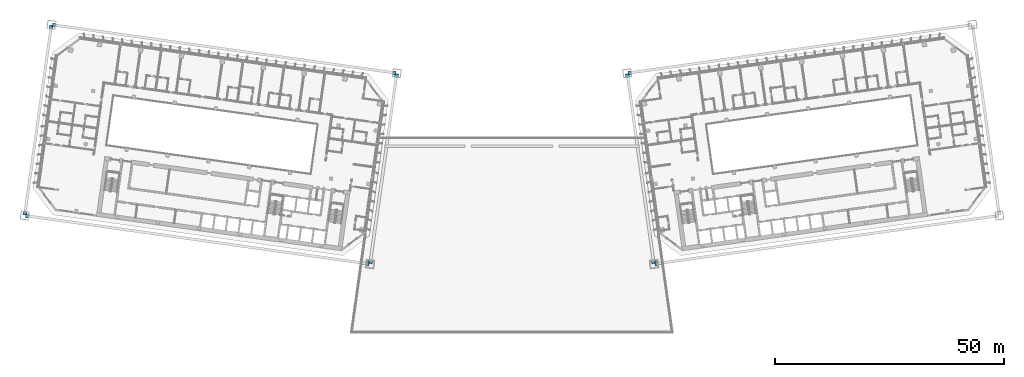
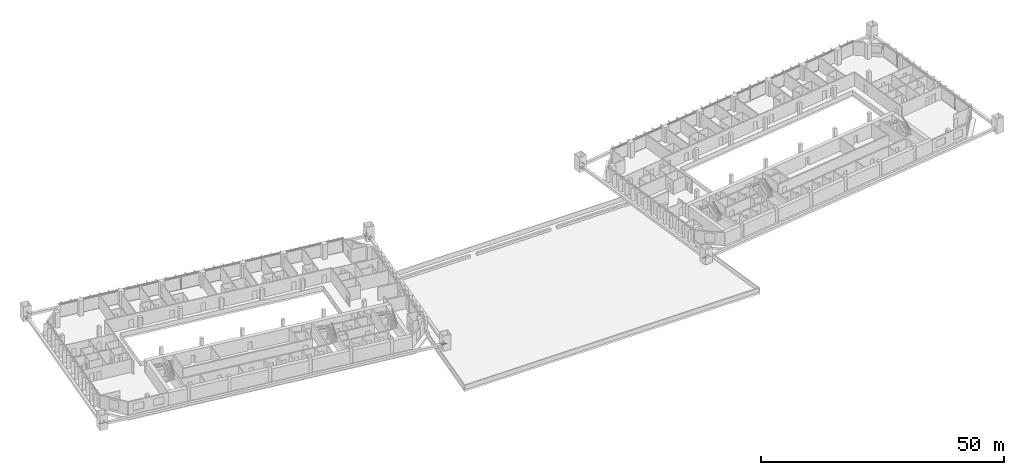
# One storey, part 38 of 46: 12 discrete accessories.
"""IFC4 building model written with IfcOpenShell, lengths in metres."""

from ifc_helpers import new_model, si_unit, direction, frame, origin, origin_2d, place, context, subcontext, project, spatial, rectangle, extrude, material, material_profile, profile_set, type_object, element, save


model = new_model("IFC4")

# Units and contexts
model_context = context("Model", 3, precision=1e-05, world=origin(), true_north=direction((0.0, 1.0)))
body_context = subcontext(model_context, "Body", "Model", "MODEL_VIEW")
ifc_project = project(units=[si_unit("LENGTHUNIT", "METRE"), si_unit("AREAUNIT", "SQUARE_METRE"), si_unit("VOLUMEUNIT", "CUBIC_METRE"), si_unit("PLANEANGLEUNIT", "RADIAN"), si_unit("MASSUNIT", "GRAM", prefix="KILO")], contexts=[model_context])

# Site, building, storey
site_placement = place(None, origin())
site = spatial("IfcSite", under=ifc_project, at=site_placement, CompositionType="ELEMENT")
building_placement = place(site_placement, origin())
building = spatial("IfcBuilding", under=site, at=building_placement, Name="Mirante Cascada Hotel Towers", CompositionType="ELEMENT")
storey_placement = place(building_placement, frame((0.0, 0.0, 39.5)))
storey = spatial("IfcBuildingStorey", under=building, at=storey_placement, Name="L06", CompositionType="ELEMENT", Elevation=39.5)

# Discrete accessories
ifc_material = material(Name="Steel ASTM A572 Gr 50", Category="steel")
ifc_material_profile = material_profile(ifc_material, rectangle(XDim=0.9, YDim=0.9, at=origin_2d()), Name="Connection plate 900x900x25 ASTM A572 Gr 50")
ifc_profile_set = profile_set([ifc_material_profile], Name="Steel ASTM A572 Gr 50")
discrete_accessory_type = type_object("IfcDiscreteAccessoryType", Name="Connection plate 900x900x25 ASTM A572 Gr 50", PredefinedType="BRACKET", material=ifc_profile_set)
for number, where, z_axis, x_axis, name in (
    (1, (-25.6586, 18.5962, 1.3347), (-0.5438347, 0.0759769, 0.835746), (-0.1383621, -0.9903817, 0.0), "Connection plate MB-FL06L"),
    (2, (-99.7954, 29.0155, 1.3347), (0.5438347, -0.0759769, 0.835746), (0.1383621, 0.9903817, 0.0), "Connection plate MB-FL06R"),
    (3, (-31.5039, -22.995, 1.3347), (-0.5438347, 0.0759769, 0.835746), (-0.1383621, -0.9903817, 0.0), "Connection plate MB-RL06L"),
    (4, (-105.6407, -12.5758, 1.3347), (0.5438347, -0.0759769, 0.835746), (0.1383621, 0.9903817, 0.0), "Connection plate MB-RL06R"),
    (5, (-30.8695, -22.5574, 0.7732), (0.0479123, 0.3313934, 0.9422753), (-0.9897096, 0.1430905, 0.0), "Connection plate MB-IL06L"),
    (6, (-25.1694, 18.0007, 0.7732), (-0.0479123, -0.3313934, 0.9422753), (0.9897096, -0.1430905, 0.0), "Connection plate MB-IL06R"),
    (7, (-106.1299, -11.9802, 0.7732), (0.0479123, 0.3313934, 0.9422753), (-0.9897096, 0.1430905, 0.0), "Connection plate MB-OL06L"),
    (8, (-100.4298, 28.5778, 0.7732), (-0.0479123, -0.3313934, 0.9422753), (0.9897096, -0.1430905, 0.0), "Connection plate MB-OL06R"),
    (9, (25.6586, 18.5962, 1.3347), (0.5438347, 0.0759769, 0.835746), (-0.1383621, 0.9903817, 0.0), "Connection plate MB-FL06L"),
    (10, (31.5039, -22.995, 1.3347), (0.5438347, 0.0759769, 0.835746), (-0.1383621, 0.9903817, 0.0), "Connection plate MB-RL06L"),
    (11, (30.8695, -22.5574, 0.7732), (-0.0479123, 0.3313934, 0.9422753), (-0.9897096, -0.1430905, 0.0), "Connection plate MB-IL06L"),
    (12, (25.1694, 18.0007, 0.7732), (0.0479123, -0.3313934, 0.9422753), (0.9897096, 0.1430905, 0.0), "Connection plate MB-IL06R"),
):
    element("IfcDiscreteAccessory", number, at=place(storey_placement, frame(where, z_axis=z_axis, x_axis=x_axis)), inside=storey, type_object=discrete_accessory_type, Name=name, PredefinedType="BRACKET", context=body_context, shape_type="SweptSolid", body=[
        extrude(rectangle(XDim=0.9, YDim=0.9, at=origin_2d()), origin(), (0.0, 0.0, 1.0), 0.025),
    ])

save(model, "model.ifc")
